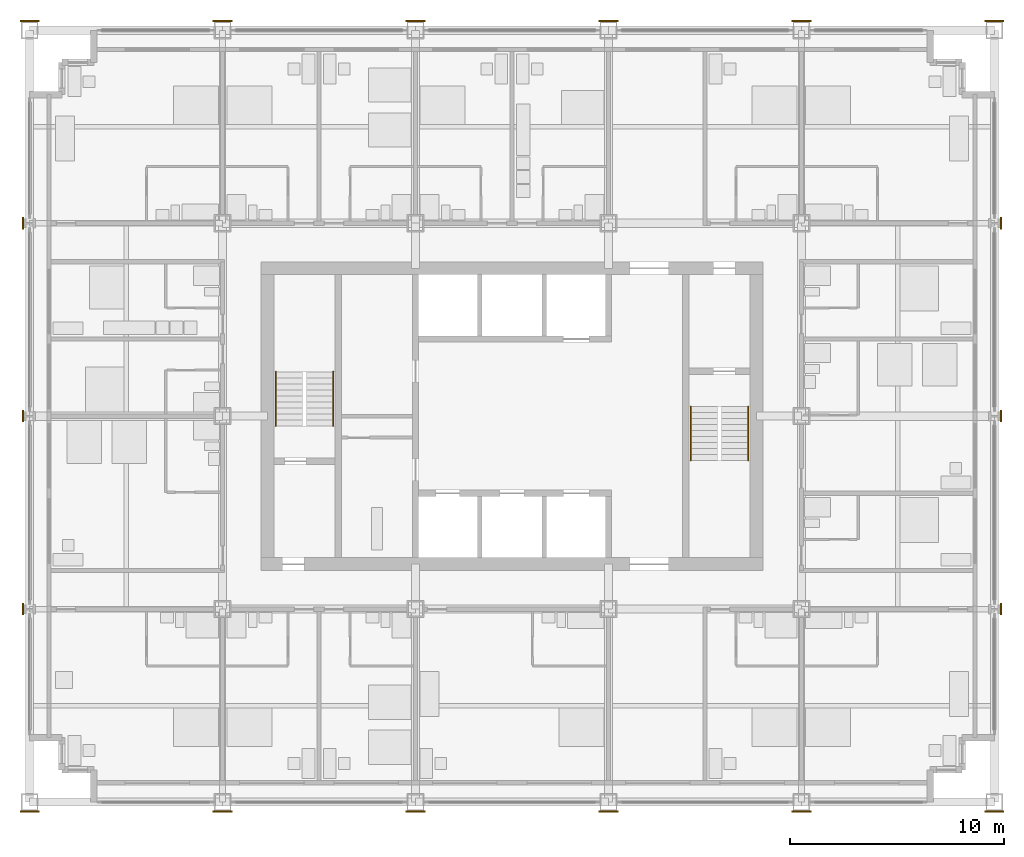
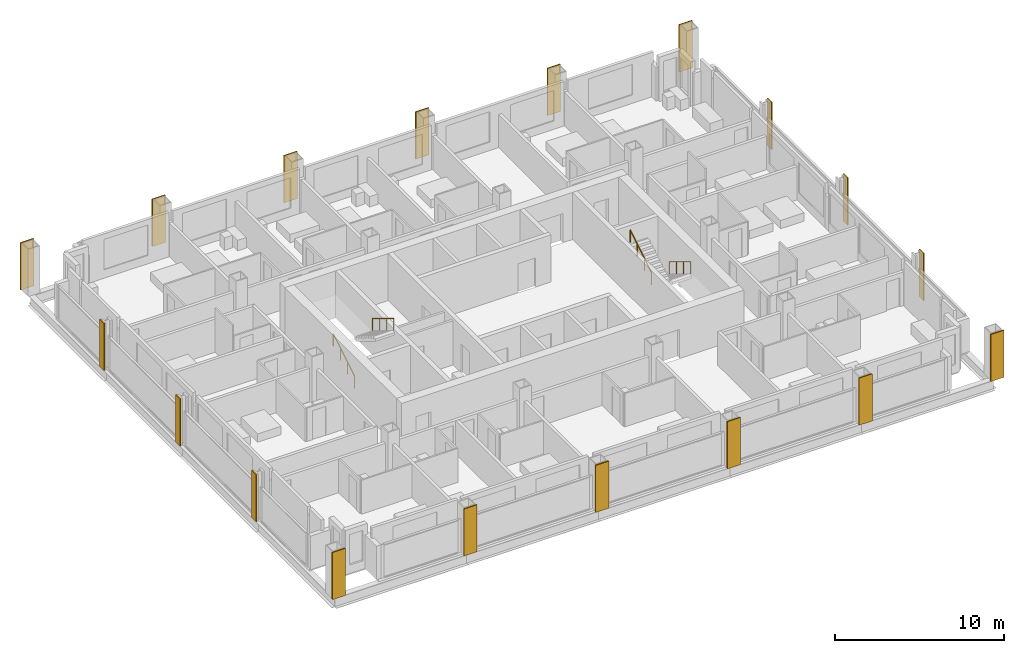
# One storey, part 15 of 17: 18 coverings, 4 railings.
"""IFC4 building model written with IfcOpenShell, lengths in metres."""

from ifc_helpers import new_model, si_unit, direction, frame, origin, origin_2d, place, context, subcontext, project, spatial, rectangle, circle, extrude, material, layer, layer_set, type_object, element, save


model = new_model("IFC4")

# Units and contexts
model_context = context("Model", 3, precision=1e-05, world=origin(), true_north=direction((0.0, 1.0)))
body_context = subcontext(model_context, "Body", "Model", "MODEL_VIEW")
ifc_project = project(units=[si_unit("LENGTHUNIT", "METRE"), si_unit("AREAUNIT", "SQUARE_METRE"), si_unit("VOLUMEUNIT", "CUBIC_METRE"), si_unit("PLANEANGLEUNIT", "RADIAN"), si_unit("MASSUNIT", "GRAM", prefix="KILO")], contexts=[model_context])

# Site, building, storey
site_placement = place(None, origin())
site = spatial("IfcSite", under=ifc_project, at=site_placement, CompositionType="ELEMENT")
building_placement = place(site_placement, origin())
building = spatial("IfcBuilding", under=site, at=building_placement, Name="Loomwork Tower", CompositionType="ELEMENT")
storey_placement = place(building_placement, frame((0.0, 0.0, 138.39990234375)))
storey = spatial("IfcBuildingStorey", under=building, at=storey_placement, Name="L37", CompositionType="ELEMENT", Elevation=138.39990234375)

# Railings
ifc_material_1 = material(Name="Stainless steel handrail", Category="steel")
railing_type = type_object("IfcRailingType", Name="Handrail 900", PredefinedType="HANDRAIL", material=ifc_material_1)
railing_1_placement = place(storey_placement, frame((11.485107421875, 17.550048828125, 0.170166015625)))
element("IfcRailing", 1, at=railing_1_placement, inside=storey, type_object=railing_type, Name="Stair A handrail flight 1 L37", PredefinedType="HANDRAIL", context=body_context, shape_type="SweptSolid", body=[
    extrude(circle(Radius=0.02392578125, at=origin_2d()), frame((0.0, 0.0, 0.8759765625), z_axis=(0.0, 0.85478489116, 0.518982456201), x_axis=(-1.0, 0.0, 0.0)), (0.0, 0.0, 1.0), 2.9482421875),
    extrude(circle(Radius=0.02099609375, at=origin_2d()), origin(), (0.0, 0.0, 1.0), 0.851806640625),
    extrude(circle(Radius=0.02099609375, at=origin_2d()), frame((0.0, 0.840087890625, 0.510009765625)), (0.0, 0.0, 1.0), 0.851806640625),
    extrude(circle(Radius=0.02099609375, at=origin_2d()), frame((0.0, 1.679931640625, 1.02001953125)), (0.0, 0.0, 1.0), 0.851806640625),
    extrude(circle(Radius=0.02099609375, at=origin_2d()), frame((0.0, 2.52001953125, 1.530029296875)), (0.0, 0.0, 1.0), 0.851806640625),
])
for number, where, name in (
    (2, (14.1650390625, 20.070068359375, 1.8701171875), "Stair A handrail flight 2 L37"),
    (3, (33.514892578125, 18.449951171875, 0.170166015625), "Stair B handrail flight 1 L37"),
):
    element("IfcRailing", number, at=place(storey_placement, frame(where)), inside=storey, type_object=railing_type, Name=name, PredefinedType="HANDRAIL", context=body_context, shape_type="SweptSolid", body=[
        extrude(circle(Radius=0.02392578125, at=origin_2d()), frame((0.0, 0.0, 0.8759765625), z_axis=(0.0, -0.85478489116, 0.518982456201), x_axis=(1.0, 0.0, 0.0)), (0.0, 0.0, 1.0), 2.9482421875),
        extrude(circle(Radius=0.02099609375, at=origin_2d()), origin(), (0.0, 0.0, 1.0), 0.851806640625),
        extrude(circle(Radius=0.02099609375, at=origin_2d()), frame((0.0, -0.840087890625, 0.510009765625)), (0.0, 0.0, 1.0), 0.851806640625),
        extrude(circle(Radius=0.02099609375, at=origin_2d()), frame((0.0, -1.679931640625, 1.02001953125)), (0.0, 0.0, 1.0), 0.851806640625),
        extrude(circle(Radius=0.02099609375, at=origin_2d()), frame((0.0, -2.52001953125, 1.530029296875)), (0.0, 0.0, 1.0), 0.851806640625),
    ])
railing_2_placement = place(storey_placement, frame((30.8349609375, 15.929931640625, 1.8701171875)))
element("IfcRailing", 4, at=railing_2_placement, inside=storey, type_object=railing_type, Name="Stair B handrail flight 2 L37", PredefinedType="HANDRAIL", context=body_context, shape_type="SweptSolid", body=[
    extrude(circle(Radius=0.02392578125, at=origin_2d()), frame((0.0, 0.0, 0.8759765625), z_axis=(0.0, 0.85478489116, 0.518982456201), x_axis=(-1.0, 0.0, 0.0)), (0.0, 0.0, 1.0), 2.9482421875),
    extrude(circle(Radius=0.02099609375, at=origin_2d()), origin(), (0.0, 0.0, 1.0), 0.851806640625),
    extrude(circle(Radius=0.02099609375, at=origin_2d()), frame((0.0, 0.840087890625, 0.510009765625)), (0.0, 0.0, 1.0), 0.851806640625),
    extrude(circle(Radius=0.02099609375, at=origin_2d()), frame((0.0, 1.679931640625, 1.02001953125)), (0.0, 0.0, 1.0), 0.851806640625),
    extrude(circle(Radius=0.02099609375, at=origin_2d()), frame((0.0, 2.52001953125, 1.530029296875)), (0.0, 0.0, 1.0), 0.851806640625),
])

# Coverings
ifc_material_2 = material(Name="Limestone", Category="masonry")
ifc_layer = layer(ifc_material_2, 0.080078125)
ifc_layer_set = layer_set([ifc_layer], Name="Limestone pier facing 80")
covering_type = type_object("IfcCoveringType", Name="Limestone pier facing 80", PredefinedType="CLADDING", material=ifc_layer_set)
covering_1_placement = place(storey_placement, frame((0.0, -0.43994140625, 0.000244140625), z_axis=(0.0, 0.0, 1.0), x_axis=(1.0, 0.0, 0.0)))
element("IfcCovering", 5, at=covering_1_placement, inside=storey, type_object=covering_type, Name="Pier facing D/2 L37", PredefinedType="CLADDING", context=body_context, shape_type="SweptSolid", body=[
    extrude(rectangle(XDim=0.89990234375, YDim=0.080078125, at=origin_2d()), origin(), (0.0, 0.0, 1.0), 3.39990234375),
])
for number, where, z_axis, x_axis, name in (
    (6, (-0.305419921875, 9.0, 0.000244140625), (0.0, 0.0, 1.0), (1.0, 0.0, 0.0), "Pier facing E/2 L37"),
    (7, (-0.305419921875, 18.0, 0.000244140625), (0.0, 0.0, 1.0), (1.0, 0.0, 0.0), "Pier facing F/2 L37"),
    (8, (-0.305419921875, 27.0, 0.000244140625), (0.0, 0.0, 1.0), (1.0, 0.0, 0.0), "Pier facing G/2 L37"),
):
    element("IfcCovering", number, at=place(storey_placement, frame(where, z_axis=z_axis, x_axis=x_axis)), inside=storey, type_object=covering_type, Name=name, PredefinedType="CLADDING", context=body_context, shape_type="SweptSolid", body=[
        extrude(rectangle(XDim=0.080078125, YDim=0.5419921875, at=origin_2d()), origin(), (0.0, 0.0, 1.0), 3.39990234375),
    ])
for number, where, z_axis, x_axis, name in (
    (9, (0.0, 36.43994140625, 0.000244140625), (0.0, 0.0, 1.0), (1.0, 0.0, 0.0), "Pier facing H/2 L37"),
    (10, (9.0, -0.43994140625, 0.000244140625), (0.0, 0.0, 1.0), (1.0, 0.0, 0.0), "Pier facing D/3 L37"),
    (11, (9.0, 36.43994140625, 0.000244140625), (0.0, 0.0, 1.0), (1.0, 0.0, 0.0), "Pier facing H/3 L37"),
    (12, (18.0, -0.43994140625, 0.000244140625), (0.0, 0.0, 1.0), (1.0, 0.0, 0.0), "Pier facing D/4 L37"),
    (13, (18.0, 36.43994140625, 0.000244140625), (0.0, 0.0, 1.0), (1.0, 0.0, 0.0), "Pier facing H/4 L37"),
    (14, (27.0, -0.43994140625, 0.000244140625), (0.0, 0.0, 1.0), (1.0, 0.0, 0.0), "Pier facing D/5 L37"),
    (15, (27.0, 36.43994140625, 0.000244140625), (0.0, 0.0, 1.0), (1.0, 0.0, 0.0), "Pier facing H/5 L37"),
    (16, (36.0, -0.43994140625, 0.000244140625), (0.0, 0.0, 1.0), (1.0, 0.0, 0.0), "Pier facing D/6 L37"),
    (17, (36.0, 36.43994140625, 0.000244140625), (0.0, 0.0, 1.0), (1.0, 0.0, 0.0), "Pier facing H/6 L37"),
    (18, (45.0, -0.43994140625, 0.000244140625), (0.0, 0.0, 1.0), (1.0, 0.0, 0.0), "Pier facing D/7 L37"),
):
    element("IfcCovering", number, at=place(storey_placement, frame(where, z_axis=z_axis, x_axis=x_axis)), inside=storey, type_object=covering_type, Name=name, PredefinedType="CLADDING", context=body_context, shape_type="SweptSolid", body=[
        extrude(rectangle(XDim=0.89990234375, YDim=0.080078125, at=origin_2d()), origin(), (0.0, 0.0, 1.0), 3.39990234375),
    ])
for number, where, z_axis, x_axis, name in (
    (19, (45.305419921875, 9.0, 0.000244140625), (0.0, 0.0, 1.0), (1.0, 0.0, 0.0), "Pier facing E/7 L37"),
    (20, (45.305419921875, 18.0, 0.000244140625), (0.0, 0.0, 1.0), (1.0, 0.0, 0.0), "Pier facing F/7 L37"),
    (21, (45.305419921875, 27.0, 0.000244140625), (0.0, 0.0, 1.0), (1.0, 0.0, 0.0), "Pier facing G/7 L37"),
):
    element("IfcCovering", number, at=place(storey_placement, frame(where, z_axis=z_axis, x_axis=x_axis)), inside=storey, type_object=covering_type, Name=name, PredefinedType="CLADDING", context=body_context, shape_type="SweptSolid", body=[
        extrude(rectangle(XDim=0.080078125, YDim=0.5419921875, at=origin_2d()), origin(), (0.0, 0.0, 1.0), 3.39990234375),
    ])
covering_2_placement = place(storey_placement, frame((45.0, 36.43994140625, 0.000244140625), z_axis=(0.0, 0.0, 1.0), x_axis=(1.0, 0.0, 0.0)))
element("IfcCovering", 22, at=covering_2_placement, inside=storey, type_object=covering_type, Name="Pier facing H/7 L37", PredefinedType="CLADDING", context=body_context, shape_type="SweptSolid", body=[
    extrude(rectangle(XDim=0.89990234375, YDim=0.080078125, at=origin_2d()), origin(), (0.0, 0.0, 1.0), 3.39990234375),
])

save(model, "model.ifc")
